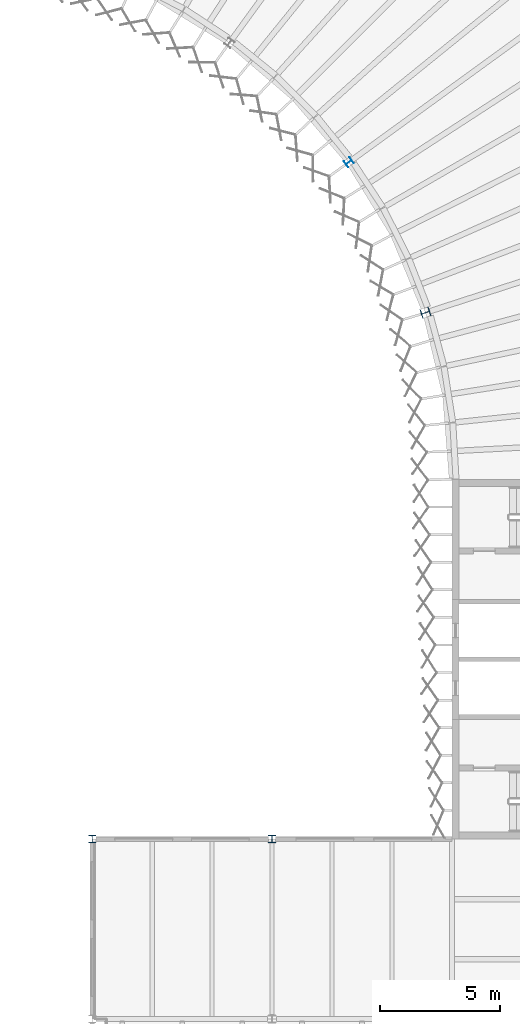
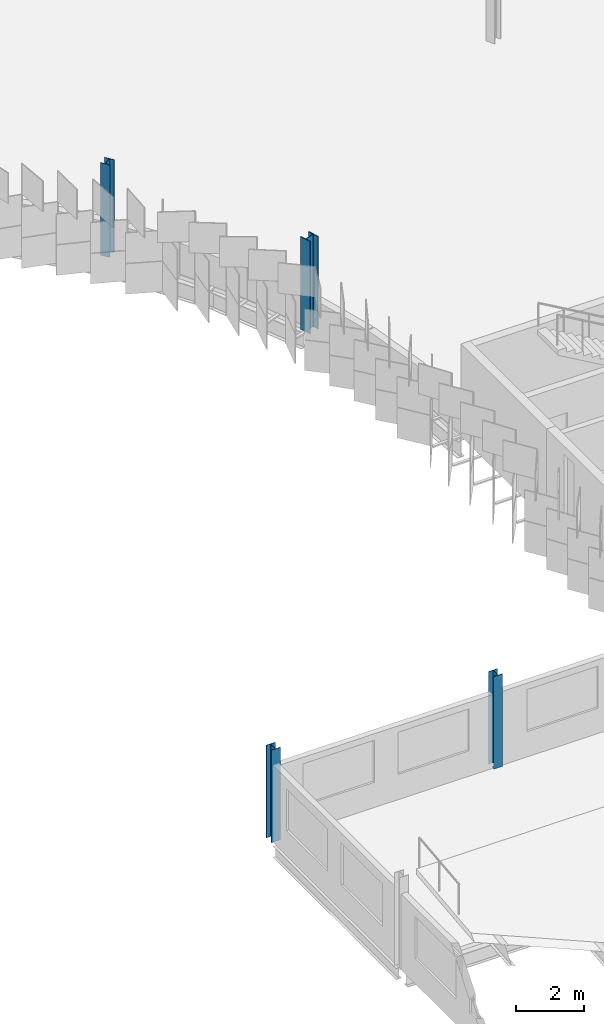
# One storey, part 19 of 198: 4 columns.
"""IFC4 building model written with IfcOpenShell, lengths in metres."""

from ifc_helpers import new_model, si_unit, direction, frame, origin, origin_2d, place, context, subcontext, project, spatial, i_section, extrude, material, material_profile, profile_set, type_object, element, save


model = new_model("IFC4")

# Units and contexts
model_context = context("Model", 3, precision=1e-05, world=origin(), true_north=direction((0.0, 1.0)))
body_context = subcontext(model_context, "Body", "Model", "MODEL_VIEW")
ifc_project = project(units=[si_unit("LENGTHUNIT", "METRE"), si_unit("AREAUNIT", "SQUARE_METRE"), si_unit("VOLUMEUNIT", "CUBIC_METRE"), si_unit("PLANEANGLEUNIT", "RADIAN"), si_unit("MASSUNIT", "GRAM", prefix="KILO")], contexts=[model_context])

# Site, building, storey
site_placement = place(None, origin())
site = spatial("IfcSite", under=ifc_project, at=site_placement, CompositionType="ELEMENT")
building_placement = place(site_placement, origin())
building = spatial("IfcBuilding", under=site, at=building_placement, Name="Parallax Yard Mobility Hub", CompositionType="ELEMENT")
storey_placement = place(building_placement, frame((0.0, 0.0, 6.60009765625)))
storey = spatial("IfcBuildingStorey", under=building, at=storey_placement, Name="L02", CompositionType="ELEMENT", Elevation=6.60009765625)

# Columns
ifc_material = material(Name="Steel ASTM A992", Category="steel")
ifc_material_profile_1 = material_profile(ifc_material, i_section(OverallWidth=0.304931640625, OverallDepth=0.306884765625, WebThickness=0.010009765625, FlangeThickness=0.015380859375, FilletRadius=0.01513671875, at=origin_2d()), Name="W310x97")
ifc_profile_set_1 = profile_set([ifc_material_profile_1], Name="Steel ASTM A992")
column_type_1 = type_object("IfcColumnType", Name="W310x97 column", PredefinedType="COLUMN", material=ifc_profile_set_1)
for number, where, z_axis, x_axis, name in (
    (1, (180.0, 75.0, 0.0), (0.0, 0.0, 1.0), (1.0, 0.0, 0.0), "Column C1 level L02 at L/25 of ramp house"),
    (2, (187.5, 75.0, 0.0), (0.0, 0.0, 1.0), (1.0, 0.0, 0.0), "Column C1 level L02 at L/26 of ramp house"),
    (3, (190.702880859375, 103.22509765625, 0.0), (0.0, 0.0, 1.0), (-0.587785252292, 0.809016994375, 0.0), "Column C1 level L02 at RA/R6 of ramped parking decks"),
):
    element("IfcColumn", number, at=place(storey_placement, frame(where, z_axis=z_axis, x_axis=x_axis)), inside=storey, type_object=column_type_1, Name=name, PredefinedType="COLUMN", context=body_context, shape_type="SweptSolid", body=[
        extrude(i_section(OverallWidth=0.304931640625, OverallDepth=0.306884765625, WebThickness=0.010009765625, FlangeThickness=0.015380859375, FilletRadius=0.01513671875, at=origin_2d()), origin(), (0.0, 0.0, 1.0), 3.2998046875),
    ])
ifc_material_profile_2 = material_profile(ifc_material, i_section(OverallWidth=0.373046875, OverallDepth=0.367919921875, WebThickness=0.014892578125, FlangeThickness=0.02392578125, FilletRadius=0.01513671875, at=origin_2d()), Name="W360x179")
ifc_profile_set_2 = profile_set([ifc_material_profile_2], Name="Steel ASTM A992")
column_type_2 = type_object("IfcColumnType", Name="W360x179 column", PredefinedType="COLUMN", material=ifc_profile_set_2)
column_placement = place(storey_placement, frame((193.898681640625, 96.952880859375, 0.0), z_axis=(0.0, 0.0, 1.0), x_axis=(-0.309016994375, 0.951056516295, 0.0)))
element("IfcColumn", 4, at=column_placement, inside=storey, type_object=column_type_2, Name="Column C7 level L02 at RA/R8 of ramped parking decks", PredefinedType="COLUMN", context=body_context, shape_type="SweptSolid", body=[
    extrude(i_section(OverallWidth=0.373046875, OverallDepth=0.367919921875, WebThickness=0.014892578125, FlangeThickness=0.02392578125, FilletRadius=0.01513671875, at=origin_2d()), origin(), (0.0, 0.0, 1.0), 3.2998046875),
])

save(model, "model.ifc")
